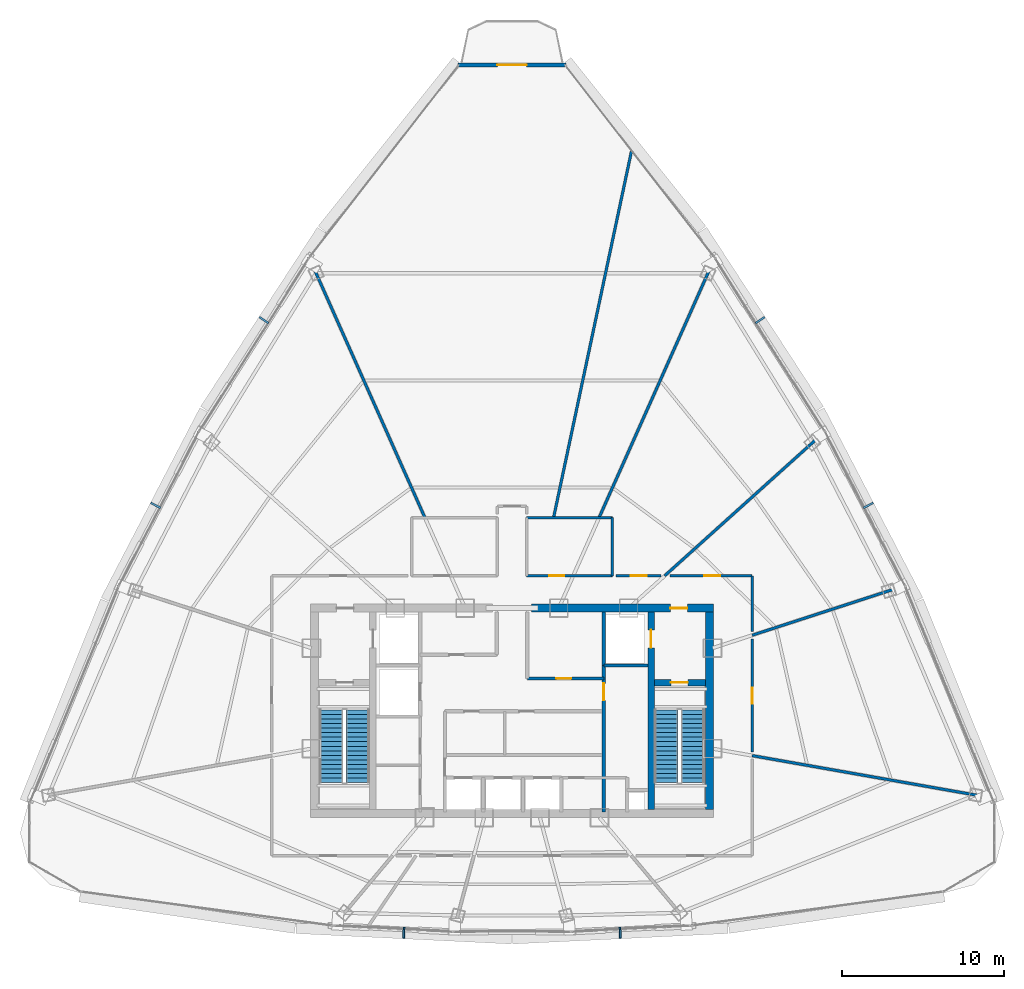
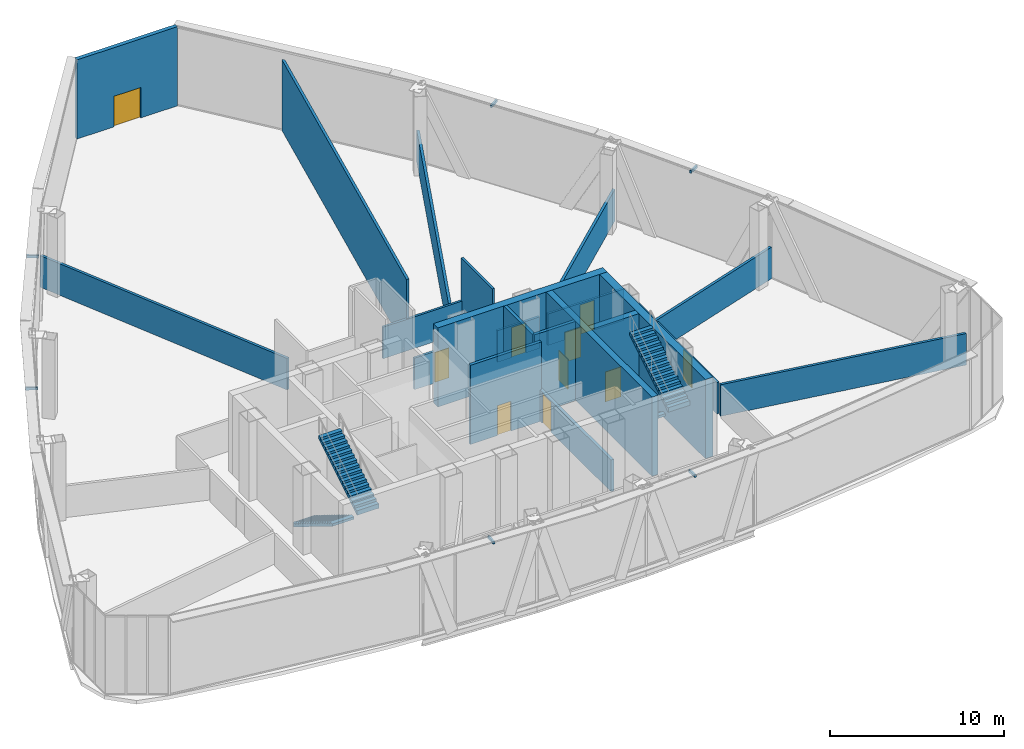
# One storey, part 30 of 33: 22 walls, 10 doors, 6 discrete accessories, 4 stair flights, 10 openings, 2 elements without a shape of their own.
"""IFC4 building model written with IfcOpenShell, lengths in metres."""

import ifcopenshell
import ifcopenshell.guid

model = None  # the IFC model being written
_history = None  # IfcOwnerHistory: only IFC2X3 demands one
_inside = {}  # id of a spatial element -> (the spatial element, [elements in it])
_under = {}  # id of a project, library or spatial element -> (it, [spatial elements below it])
_declared = {}  # id of a project -> (the project, [libraries it declares])
_typed = {}  # id of a type object -> (the type object, [elements of that type])
_made_of = {}  # id of a material, layer set ... -> (it, [elements and type objects made of it])


def new_model(schema):
    """Start an empty IFC model of exactly this schema.

    Asked for "IFC4X3", IfcOpenShell would pick the latest addendum, in which some entities
    have other attributes; the version numbers below select the first issue.
    IFC2X3 requires an IfcOwnerHistory on every rooted entity: one is made here for all.
    """
    global model, _history
    if schema == "IFC4X3":
        model = ifcopenshell.file(schema_version=(4, 3, 0, 0))
    else:
        model = ifcopenshell.file(schema=schema)
    _inside.clear()
    _under.clear()
    _declared.clear()
    _typed.clear()
    _made_of.clear()
    _history = None
    if model.schema == "IFC2X3":
        org = make("IfcOrganization", Name="unknown")
        user = make(
            "IfcPersonAndOrganization",
            ThePerson=make("IfcPerson", FamilyName="unknown"),
            TheOrganization=org,
        )
        app = make(
            "IfcApplication",
            ApplicationDeveloper=org,
            Version="unknown",
            ApplicationFullName="unknown",
            ApplicationIdentifier="unknown",
        )
        _history = make(
            "IfcOwnerHistory",
            OwningUser=user,
            OwningApplication=app,
            ChangeAction="ADDED",
            CreationDate=0,
        )
    return model


def make(cls, **values):
    """One entity of the class cls with the attributes given. An attribute that is None is left unset."""
    return model.create_entity(
        cls, **{name: value for name, value in values.items() if value is not None}
    )


def rooted(cls, **values):
    """An entity with a GlobalId (a new one), such as an element, a storey or a relation."""
    return make(cls, GlobalId=ifcopenshell.guid.new(), OwnerHistory=_history, **values)


def si_unit(unit_type, name, prefix=None):
    """IfcSIUnit, for example si_unit("LENGTHUNIT", "METRE", prefix="MILLI")."""
    return make("IfcSIUnit", UnitType=unit_type, Prefix=prefix, Name=name)


def assignment(units):
    """IfcUnitAssignment: the units of a project."""
    return None if units is None else make("IfcUnitAssignment", Units=units)


def point(xyz):
    """IfcCartesianPoint."""
    return None if xyz is None else make("IfcCartesianPoint", Coordinates=xyz)


def direction(xyz):
    """IfcDirection."""
    return None if xyz is None else make("IfcDirection", DirectionRatios=xyz)


def frame(location, z_axis=None, x_axis=None):
    """IfcAxis2Placement3D, a coordinate frame: its origin and axes. An axis left out is left unset."""
    return make(
        "IfcAxis2Placement3D",
        Location=point(location),
        Axis=direction(z_axis),
        RefDirection=direction(x_axis),
    )


def frame_2d(location, x_axis=None):
    """IfcAxis2Placement2D, a coordinate frame in the plane: its origin and x axis."""
    return make(
        "IfcAxis2Placement2D", Location=point(location), RefDirection=direction(x_axis)
    )


def origin():
    """The frame at (0, 0, 0) with its axes left unset."""
    return frame((0.0, 0.0, 0.0))


def origin_with_axes():
    """The frame at (0, 0, 0) with the z axis (0, 0, 1) and the x axis (1, 0, 0) written out."""
    return frame((0.0, 0.0, 0.0), z_axis=(0.0, 0.0, 1.0), x_axis=(1.0, 0.0, 0.0))


def origin_2d():
    """The frame at (0, 0) in the plane with its x axis left unset."""
    return frame_2d((0.0, 0.0))


def place(relative_to, where):
    """IfcLocalPlacement: puts the frame where relative to a parent placement (None: the world)."""
    return make(
        "IfcLocalPlacement", PlacementRelTo=relative_to, RelativePlacement=where
    )


def context(
    kind, dimensions, precision=None, world=None, true_north=None, identifier=None
):
    """IfcGeometricRepresentationContext, for example the 3D "Model" context."""
    return make(
        "IfcGeometricRepresentationContext",
        ContextIdentifier=identifier,
        ContextType=kind,
        CoordinateSpaceDimension=dimensions,
        Precision=precision,
        WorldCoordinateSystem=world,
        TrueNorth=true_north,
    )


def subcontext(parent, identifier, kind, view, scale=None):
    """IfcGeometricRepresentationSubContext, for example "Body" below "Model"."""
    return make(
        "IfcGeometricRepresentationSubContext",
        ContextIdentifier=identifier,
        ContextType=kind,
        ParentContext=parent,
        TargetScale=scale,
        TargetView=view,
    )


def project(units=None, contexts=None):
    """IfcProject with its units and contexts."""
    return rooted(
        "IfcProject",
        Name="project",
        RepresentationContexts=contexts,
        UnitsInContext=assignment(units),
    )


def spatial(cls, under=None, at=None, **own):
    """A site, building, storey or space (cls), placed at a placement, below another one or the project."""
    s = rooted(cls, ObjectPlacement=at, **own)
    if under is not None:
        _under.setdefault(under.id(), (under, []))[1].append(s)
    return s


def polyline(points):
    """IfcPolyline through the points."""
    return make("IfcPolyline", Points=[point(p) for p in points])


def profile(cls, at=None, kind="AREA", **sizes):
    """A parametric profile (cls). Its sizes go by their IFC names, for example OverallWidth=200.0."""
    return make(cls, ProfileType=kind, Position=at, **sizes)


def rectangle(**sizes):
    """IfcRectangleProfileDef."""
    return profile("IfcRectangleProfileDef", **sizes)


def outline(outer, holes=None, kind="AREA"):
    """IfcArbitraryClosedProfileDef: a profile drawn as a closed curve; with holes, ...WithVoids."""
    if holes is None:
        return make("IfcArbitraryClosedProfileDef", ProfileType=kind, OuterCurve=outer)
    return make(
        "IfcArbitraryProfileDefWithVoids",
        ProfileType=kind,
        OuterCurve=outer,
        InnerCurves=holes,
    )


def extrude(swept, where, along, depth):
    """IfcExtrudedAreaSolid: the profile swept, set in the frame where, extruded along a direction by depth."""
    return make(
        "IfcExtrudedAreaSolid",
        SweptArea=swept,
        Position=where,
        ExtrudedDirection=direction(along),
        Depth=depth,
    )


def shape(context_of_items, identifier, shape_type, items):
    """IfcShapeRepresentation: the items that make up one representation, for example the "Body"."""
    return make(
        "IfcShapeRepresentation",
        ContextOfItems=context_of_items,
        RepresentationIdentifier=identifier,
        RepresentationType=shape_type,
        Items=items,
    )


def source(mapping_origin, context_of_items, identifier, shape_type, items):
    """IfcRepresentationMap: a shape defined once, which mapped items show again and again."""
    return make(
        "IfcRepresentationMap",
        MappingOrigin=mapping_origin,
        MappedRepresentation=shape(context_of_items, identifier, shape_type, items),
    )


def transform(
    local_origin,
    x_axis=None,
    y_axis=None,
    z_axis=None,
    scale=None,
    scale2=None,
    scale3=None,
    uniform=True,
):
    """IfcCartesianTransformationOperator3D, or its non-uniform kind. x_axis, y_axis, z_axis: its Axis1, 2, 3."""
    if uniform:
        return make(
            "IfcCartesianTransformationOperator3D",
            Axis1=direction(x_axis),
            Axis2=direction(y_axis),
            LocalOrigin=point(local_origin),
            Scale=scale,
            Axis3=direction(z_axis),
        )
    return make(
        "IfcCartesianTransformationOperator3DnonUniform",
        Axis1=direction(x_axis),
        Axis2=direction(y_axis),
        LocalOrigin=point(local_origin),
        Scale=scale,
        Axis3=direction(z_axis),
        Scale2=scale2,
        Scale3=scale3,
    )


def mapped(mapping_source, mapping_target):
    """IfcMappedItem: shows the shape of a source again, moved by a transform."""
    return make(
        "IfcMappedItem", MappingSource=mapping_source, MappingTarget=mapping_target
    )


def material(Name=None, Category=None):
    """IfcMaterial."""
    return make("IfcMaterial", Name=Name, Category=Category)


def layer(
    of_material, thickness, ventilated=None, Name=None, Category=None, Priority=None
):
    """IfcMaterialLayer: one layer of a wall or slab, of a material (None: an air gap)."""
    return make(
        "IfcMaterialLayer",
        Material=of_material,
        LayerThickness=thickness,
        IsVentilated=ventilated,
        Name=Name,
        Category=Category,
        Priority=Priority,
    )


def layer_set(layers, Name=None):
    """IfcMaterialLayerSet."""
    return make("IfcMaterialLayerSet", MaterialLayers=layers, LayerSetName=Name)


def made_of(thing, what):
    """Note that an element or type object is made of a material, layer set ...; save() writes the relation."""
    if what is not None:
        _made_of.setdefault(what.id(), (what, []))[1].append(thing)
    return thing


def type_object(cls, material=None, **own):
    """A type object (cls), such as IfcWallType, which elements share."""
    return made_of(rooted(cls, **own), material)


def element(
    cls,
    number,
    at=None,
    inside=None,
    cuts=None,
    type_object=None,
    material=None,
    context=None,
    identifier="Body",
    shape_type=None,
    held_by="IfcProductDefinitionShape",
    body=None,
    shapes=None,
    **own,
):
    """One element of the class cls, such as IfcWall. Its Tag is "e" and its number.

    at: its placement. inside: the storey or other place that contains it. cuts: it is an
    opening in that element (IfcRelVoidsElement). A single representation is given by context,
    identifier, shape_type and body (its items); several are given by shapes. held_by: the class
    of the entity that holds the representations. save() writes the other relations.
    """
    e = rooted(cls, Tag="e%d" % number, ObjectPlacement=at, **own)
    if body is not None:
        shapes = [shape(context, identifier, shape_type, body)]
    if shapes is not None:
        e.Representation = make(held_by, Representations=shapes)
    if inside is not None:
        _inside.setdefault(inside.id(), (inside, []))[1].append(e)
    if cuts is not None:
        rooted(
            "IfcRelVoidsElement", RelatingBuildingElement=cuts, RelatedOpeningElement=e
        )
    if type_object is not None:
        _typed.setdefault(type_object.id(), (type_object, []))[1].append(e)
    return made_of(e, material)


def fill(opening, filler):
    """IfcRelFillsElement: the door or window that sits in an opening."""
    return rooted(
        "IfcRelFillsElement",
        RelatingOpeningElement=opening,
        RelatedBuildingElement=filler,
    )


def aggregate(whole, parts):
    """IfcRelAggregates: a whole, such as a stair, and the parts it consists of."""
    return rooted("IfcRelAggregates", RelatingObject=whole, RelatedObjects=parts)


def save(model, path):
    """Write the relations noted so far, then the file.

    IfcRelAggregates (storeys below a building ...), IfcRelContainedInSpatialStructure (elements
    in a storey), IfcRelDefinesByType, IfcRelAssociatesMaterial and IfcRelDeclares: one each for
    every whole, place, type object, material and project.
    """
    for whole, parts in _under.values():
        aggregate(whole, parts)
    for where, things in _inside.values():
        rooted(
            "IfcRelContainedInSpatialStructure",
            RelatedElements=things,
            RelatingStructure=where,
        )
    for kind, things in _typed.values():
        rooted("IfcRelDefinesByType", RelatedObjects=things, RelatingType=kind)
    for what, things in _made_of.values():
        rooted("IfcRelAssociatesMaterial", RelatedObjects=things, RelatingMaterial=what)
    for by, libraries in _declared.values():
        rooted("IfcRelDeclares", RelatingContext=by, RelatedDefinitions=libraries)
    model.write(path)


model = new_model("IFC4")

# Units and contexts
model_context = context("Model", 3, precision=1e-05, world=origin(), true_north=direction((0.0, 1.0)))
body_context = subcontext(model_context, "Body", "Model", "MODEL_VIEW")
ifc_project = project(units=[si_unit("LENGTHUNIT", "METRE"), si_unit("AREAUNIT", "SQUARE_METRE"), si_unit("VOLUMEUNIT", "CUBIC_METRE"), si_unit("PLANEANGLEUNIT", "RADIAN"), si_unit("MASSUNIT", "GRAM", prefix="KILO"), si_unit("THERMODYNAMICTEMPERATUREUNIT", "KELVIN"), si_unit("POWERUNIT", "WATT")], contexts=[model_context])

# Site, building, storey
site_placement = place(None, origin())
site = spatial("IfcSite", under=ifc_project, at=site_placement, CompositionType="ELEMENT")
building_placement = place(site_placement, origin())
building = spatial("IfcBuilding", under=site, at=building_placement, Name="Yunzhuo Pagoda Commons", CompositionType="ELEMENT")
storey_placement = place(building_placement, frame((0.0, 0.0, 314.860107421875)))
storey = spatial("IfcBuildingStorey", under=building, at=storey_placement, Name="L79", CompositionType="ELEMENT", Elevation=314.860107421875)

# Wall, opening, door
ifc_material_1 = material(Name="Precast concrete C40", Category="concrete")
ifc_layer_1 = layer(ifc_material_1, 0.260009765625)
ifc_layer_set_1 = layer_set([ifc_layer_1], Name="Precast concrete C40")
wall_type_1 = type_object("IfcWallType", Name="W-BAL1 Corner Balcony Threshold Wall 260", PredefinedType="STANDARD", material=ifc_layer_set_1)
wall_1_placement = place(storey_placement, frame((51.3408203125, 73.785888671875, 0.0), z_axis=(0.0, 0.0, 1.0), x_axis=(-1.0, 0.0, 0.0)))
wall_1 = element("IfcWall", 1, at=wall_1_placement, inside=storey, type_object=wall_type_1, Name="L79 corner balcony wall V3", PredefinedType="STANDARD", context=body_context, shape_type="SweptSolid", body=[
    extrude(rectangle(XDim=6.681640625, YDim=0.260009765625, at=frame_2d((3.3408203125, 0.0))), origin(), (0.0, 0.0, 1.0), 5.56982421875),
])
opening_1_placement = place(wall_1_placement, frame((2.440673828125, 0.0, 0.0)))
opening_1 = element("IfcOpeningElement", 2, at=opening_1_placement, cuts=wall_1, Name="Opening D-BAL1", PredefinedType="OPENING", context=body_context, shape_type="SweptSolid", body=[
    extrude(rectangle(XDim=1.800048828125, YDim=2.14990234375, at=frame_2d((0.89990234375, 1.074951171875))), frame((0.0, 0.14013671875, 0.0), z_axis=(0.0, -1.0, 0.0), x_axis=(1.0, 0.0, 0.0)), (0.0, 0.0, 1.0), 0.280029296875),
])
ifc_material_2 = material(Name="Anodized aluminium frame and tempered glazed leaf", Category="aluminium")
door_type_1 = type_object("IfcDoorType", Name="D-BAL1 Corner Balcony Sliding Glazed Door 1800x2150", OperationType="DOUBLE_DOOR_SLIDING", PredefinedType="DOOR", material=ifc_material_2)
shared_shape_1 = source(origin(), body_context, "Body", "SweptSolid", [
    extrude(rectangle(XDim=1.800048828125, YDim=2.14990234375, at=frame_2d((0.89990234375, 1.074951171875))), frame((0.0, 0.02490234375, 0.0), z_axis=(0.0, -1.0, 0.0), x_axis=(1.0, 0.0, 0.0)), (0.0, 0.0, 1.0), 0.050048828125),
])
door_1_placement = place(opening_1_placement, origin_with_axes())
door_1 = element("IfcDoor", 3, at=door_1_placement, inside=storey, type_object=door_type_1, Name="L79 corner balcony sliding door V3", OperationType="DOUBLE_DOOR_SLIDING", OverallHeight=2.14990234375, OverallWidth=1.800048828125, PredefinedType="DOOR", context=body_context, shape_type="MappedRepresentation", body=[
    mapped(shared_shape_1, transform((0.0, 0.0, 0.0), scale=1.0)),
])
fill(opening_1, door_1)

ifc_material_3 = material(Name="Concrete C50", Category="concrete")
ifc_layer_2 = layer(ifc_material_3, 0.5)
ifc_layer_set_2 = layer_set([ifc_layer_2], Name="Concrete C50")
wall_type_2 = type_object("IfcWallType", Name="W-C03 Upper Core Shear Wall 500", PredefinedType="SHEAR", material=ifc_layer_set_2)
wall_2_placement = place(storey_placement, frame((49.199951171875, 40.199951171875, 0.0), z_axis=(0.0, 0.0, 1.0), x_axis=(1.0, 0.0, 0.0)))
wall_2 = element("IfcWall", 4, at=wall_2_placement, inside=storey, type_object=wall_type_2, Name="L79 core shear wall NE", PredefinedType="SHEAR", context=body_context, shape_type="SweptSolid", body=[
    extrude(rectangle(XDim=11.25, YDim=0.5, at=frame_2d((5.625, 0.0))), origin(), (0.0, 0.0, 1.0), 5.56982421875),
])
opening_2_placement = place(wall_2_placement, frame((8.60009765625, 0.0, 0.0)))
opening_2 = element("IfcOpeningElement", 5, at=opening_2_placement, cuts=wall_2, Name="Opening D-02", PredefinedType="OPENING", context=body_context, shape_type="SweptSolid", body=[
    extrude(rectangle(XDim=1.050048828125, YDim=2.10009765625, at=frame_2d((0.52490234375, 1.050048828125))), frame((0.0, 0.260009765625, 0.0), z_axis=(0.0, -1.0, 0.0), x_axis=(1.0, 0.0, 0.0)), (0.0, 0.0, 1.0), 0.52001953125),
])
ifc_material_4 = material(Name="Galvanized fire-resisting metal leaf")
door_type_2 = type_object("IfcDoorType", Name="D-02 Firefighting Lobby & Refuge Fire Door 1050x2100", OperationType="NOTDEFINED", PredefinedType="DOOR", material=ifc_material_4)
shared_shape_2 = source(origin(), body_context, "Body", "SweptSolid", [
    extrude(rectangle(XDim=1.050048828125, YDim=2.10009765625, at=frame_2d((0.52490234375, 1.050048828125))), frame((0.0, 0.02490234375, 0.0), z_axis=(0.0, -1.0, 0.0), x_axis=(1.0, 0.0, 0.0)), (0.0, 0.0, 1.0), 0.050048828125),
])
door_2_placement = place(opening_2_placement, frame((1.050048828125, 0.0, 0.0), z_axis=(0.0, 0.0, 1.0), x_axis=(-1.0, 0.0, 0.0)))
door_2 = element("IfcDoor", 6, at=door_2_placement, inside=storey, type_object=door_type_2, Name="L79 Firefighting Lobby 2 fire door", OperationType="SINGLE_SWING_RIGHT", OverallHeight=2.10009765625, OverallWidth=1.050048828125, PredefinedType="DOOR", context=body_context, shape_type="MappedRepresentation", body=[
    mapped(shared_shape_2, transform((0.0, 0.0, 0.0), scale=1.0)),
])
fill(opening_2, door_2)

# Wall
wall_3_placement = place(storey_placement, frame((60.199951171875, 27.75, 0.0), z_axis=(0.0, 0.0, 1.0), x_axis=(0.0, 1.0, 0.0)))
element("IfcWall", 7, at=wall_3_placement, inside=storey, type_object=wall_type_2, Name="L79 core shear wall E", PredefinedType="SHEAR", context=body_context, shape_type="SweptSolid", body=[
    extrude(rectangle(XDim=12.199951171875, YDim=0.5, at=frame_2d((6.10009765625, 0.0))), origin(), (0.0, 0.0, 1.0), 5.56982421875),
])

# Wall, opening, door
ifc_material_5 = material(Name="Gypsum plasterboard on acoustic stud")
ifc_layer_3 = layer(ifc_material_5, 0.14990234375)
ifc_layer_set_3 = layer_set([ifc_layer_3], Name="Gypsum plasterboard on acoustic stud")
wall_type_3 = type_object("IfcWallType", Name="W-COR3 High-Zone Rated Corridor Wall 150", PredefinedType="PARTITIONING", material=ifc_layer_set_3)
wall_4_placement = place(storey_placement, frame((48.89990234375, 42.199951171875, 0.0), z_axis=(0.0, 0.0, 1.0), x_axis=(1.0, 0.0, 0.0)))
wall_4 = element("IfcWall", 8, at=wall_4_placement, inside=storey, type_object=wall_type_3, Name="L79 interior wall IW-L79-TFES", PredefinedType="PARTITIONING", context=body_context, shape_type="SweptSolid", body=[
    extrude(rectangle(XDim=5.300048828125, YDim=0.14990234375, at=frame_2d((2.64990234375, 0.0))), origin(), (0.0, 0.0, 1.0), 2.219970703125),
])
opening_3_placement = place(wall_4_placement, frame((1.39990234375, 0.0, 0.0)))
opening_3 = element("IfcOpeningElement", 9, at=opening_3_placement, cuts=wall_4, Name="Opening D-11", PredefinedType="OPENING", context=body_context, shape_type="SweptSolid", body=[
    extrude(rectangle(XDim=0.93994140625, YDim=2.10009765625, at=frame_2d((0.469970703125, 1.050048828125))), frame((0.0, 0.0849609375, 0.0), z_axis=(0.0, -1.0, 0.0), x_axis=(1.0, 0.0, 0.0)), (0.0, 0.0, 1.0), 0.169921875),
])
door_type_3 = type_object("IfcDoorType", Name="D-11 Accessible Washroom Fire Door 940x2100", OperationType="NOTDEFINED", PredefinedType="DOOR", material=ifc_material_4)
shared_shape_3 = source(origin(), body_context, "Body", "SweptSolid", [
    extrude(rectangle(XDim=0.93994140625, YDim=2.10009765625, at=frame_2d((0.469970703125, 1.050048828125))), frame((0.0, 0.02490234375, 0.0), z_axis=(0.0, -1.0, 0.0), x_axis=(1.0, 0.0, 0.0)), (0.0, 0.0, 1.0), 0.050048828125),
])
door_3_placement = place(opening_3_placement, frame((0.93994140625, 0.0, 0.0), z_axis=(0.0, 0.0, 1.0), x_axis=(-1.0, 0.0, 0.0)))
door_3 = element("IfcDoor", 10, at=door_3_placement, inside=storey, type_object=door_type_3, Name="L79 accessible WC door", OperationType="SINGLE_SWING_RIGHT", OverallHeight=2.10009765625, OverallWidth=0.93994140625, PredefinedType="DOOR", context=body_context, shape_type="MappedRepresentation", body=[
    mapped(shared_shape_3, transform((0.0, 0.0, 0.0), scale=1.0)),
])
fill(opening_3, door_3)

# Walls
wall_5_placement = place(storey_placement, frame((48.89990234375, 45.800048828125, 0.0), z_axis=(0.0, 0.0, 1.0), x_axis=(1.0, 0.0, 0.0)))
element("IfcWall", 11, at=wall_5_placement, inside=storey, type_object=wall_type_3, Name="L79 interior wall IW-L79-TFEN", PredefinedType="PARTITIONING", context=body_context, shape_type="SweptSolid", body=[
    extrude(rectangle(XDim=5.300048828125, YDim=0.14990234375, at=frame_2d((2.64990234375, 0.0))), origin(), (0.0, 0.0, 1.0), 2.219970703125),
])
wall_6_placement = place(storey_placement, frame((54.199951171875, 42.199951171875, 0.0), z_axis=(0.0, 0.0, 1.0), x_axis=(0.0, 1.0, 0.0)))
element("IfcWall", 12, at=wall_6_placement, inside=storey, type_object=wall_type_3, Name="L79 interior wall IW-L79-TFEE", PredefinedType="PARTITIONING", context=body_context, shape_type="SweptSolid", body=[
    extrude(rectangle(XDim=3.60009765625, YDim=0.14990234375, at=frame_2d((1.800048828125, 0.0))), origin(), (0.0, 0.0, 1.0), 5.219970703125),
])

# Wall, opening, door
wall_7_placement = place(storey_placement, frame((54.419921875, 42.199951171875, 0.0), z_axis=(0.0, 0.0, 1.0), x_axis=(1.0, 0.0, 0.0)))
wall_7 = element("IfcWall", 13, at=wall_7_placement, inside=storey, type_object=wall_type_3, Name="L79 interior wall IW-L79-CWL08", PredefinedType="PARTITIONING", context=body_context, shape_type="SweptSolid", body=[
    extrude(rectangle(XDim=2.800537109375, YDim=0.14990234375, at=frame_2d((1.400390625, 0.0))), origin(), (0.0, 0.0, 1.0), 2.219970703125),
])
opening_4_placement = place(wall_7_placement, frame((0.925048828125, 0.0, 0.0)))
opening_4 = element("IfcOpeningElement", 14, at=opening_4_placement, cuts=wall_7, Name="Opening D-08", PredefinedType="OPENING", context=body_context, shape_type="SweptSolid", body=[
    extrude(rectangle(XDim=0.97998046875, YDim=2.1201171875, at=frame_2d((0.489990234375, 1.06005859375))), frame((0.0, 0.0849609375, 0.0), z_axis=(0.0, -1.0, 0.0), x_axis=(1.0, 0.0, 0.0)), (0.0, 0.0, 1.0), 0.169921875),
])
door_type_4 = type_object("IfcDoorType", Name="D-08 High-Zone Suite Entrance Fire Door 980x2120", OperationType="NOTDEFINED", PredefinedType="DOOR", material=ifc_material_4)
shared_shape_4 = source(origin(), body_context, "Body", "SweptSolid", [
    extrude(rectangle(XDim=0.97998046875, YDim=2.1201171875, at=frame_2d((0.489990234375, 1.06005859375))), frame((0.0, 0.02490234375, 0.0), z_axis=(0.0, -1.0, 0.0), x_axis=(1.0, 0.0, 0.0)), (0.0, 0.0, 1.0), 0.050048828125),
])
door_4_placement = place(opening_4_placement, origin_with_axes())
door_4 = element("IfcDoor", 15, at=door_4_placement, inside=storey, type_object=door_type_4, Name="L79 unit 03 entrance door", OperationType="SINGLE_SWING_RIGHT", OverallHeight=2.1201171875, OverallWidth=0.97998046875, PredefinedType="DOOR", context=body_context, shape_type="MappedRepresentation", body=[
    mapped(shared_shape_4, transform((0.0, 0.0, 0.0), scale=1.0)),
])
fill(opening_4, door_4)

wall_8_placement = place(storey_placement, frame((57.76904296875, 42.199951171875, 0.0), z_axis=(0.0, 0.0, 1.0), x_axis=(1.0, 0.0, 0.0)))
wall_8 = element("IfcWall", 16, at=wall_8_placement, inside=storey, type_object=wall_type_3, Name="L79 interior wall IW-L79-CWL09", PredefinedType="PARTITIONING", context=body_context, shape_type="SweptSolid", body=[
    extrude(rectangle(XDim=5.0810546875, YDim=0.14990234375, at=frame_2d((2.54052734375, 0.0))), origin(), (0.0, 0.0, 1.0), 2.219970703125),
])
opening_5_placement = place(wall_8_placement, frame((2.131103515625, 0.0, 0.0)))
opening_5 = element("IfcOpeningElement", 17, at=opening_5_placement, cuts=wall_8, Name="Opening D-08", PredefinedType="OPENING", context=body_context, shape_type="SweptSolid", body=[
    extrude(rectangle(XDim=0.97998046875, YDim=2.1201171875, at=frame_2d((0.489990234375, 1.06005859375))), frame((0.0, 0.0849609375, 0.0), z_axis=(0.0, -1.0, 0.0), x_axis=(1.0, 0.0, 0.0)), (0.0, 0.0, 1.0), 0.169921875),
])
door_5_placement = place(opening_5_placement, origin_with_axes())
door_5 = element("IfcDoor", 18, at=door_5_placement, inside=storey, type_object=door_type_4, Name="L79 unit 02 entrance door", OperationType="SINGLE_SWING_LEFT", OverallHeight=2.1201171875, OverallWidth=0.97998046875, PredefinedType="DOOR", context=body_context, shape_type="MappedRepresentation", body=[
    mapped(shared_shape_4, transform((0.0, 0.0, 0.0), scale=1.0)),
])
fill(opening_5, door_5)

# Wall
wall_9_placement = place(storey_placement, frame((62.85009765625, 42.199951171875, 0.0), z_axis=(0.0, 0.0, 1.0), x_axis=(0.0, -1.0, 0.0)))
element("IfcWall", 19, at=wall_9_placement, inside=storey, type_object=wall_type_3, Name="L79 interior wall IW-L79-CWL10", PredefinedType="PARTITIONING", context=body_context, shape_type="SweptSolid", body=[
    extrude(rectangle(XDim=3.443603515625, YDim=0.14990234375, at=frame_2d((1.7216796875, 0.0))), origin(), (0.0, 0.0, 1.0), 2.219970703125),
])

# Wall, opening, door
wall_10_placement = place(storey_placement, frame((62.85009765625, 38.305419921875, 0.0), z_axis=(0.0, 0.0, 1.0), x_axis=(0.0, -1.0, 0.0)))
wall_10 = element("IfcWall", 20, at=wall_10_placement, inside=storey, type_object=wall_type_3, Name="L79 interior wall IW-L79-CWL11", PredefinedType="PARTITIONING", context=body_context, shape_type="SweptSolid", body=[
    extrude(rectangle(XDim=7.004150390625, YDim=0.14990234375, at=frame_2d((3.501953125, 0.0))), origin(), (0.0, 0.0, 1.0), 2.219970703125),
])
opening_6_placement = place(wall_10_placement, frame((3.027099609375, 0.0, 0.0)))
opening_6 = element("IfcOpeningElement", 21, at=opening_6_placement, cuts=wall_10, Name="Opening D-08", PredefinedType="OPENING", context=body_context, shape_type="SweptSolid", body=[
    extrude(rectangle(XDim=0.97998046875, YDim=2.1201171875, at=frame_2d((0.489990234375, 1.06005859375))), frame((0.0, 0.0849609375, 0.0), z_axis=(0.0, -1.0, 0.0), x_axis=(1.0, 0.0, 0.0)), (0.0, 0.0, 1.0), 0.169921875),
])
door_6_placement = place(opening_6_placement, origin_with_axes())
door_6 = element("IfcDoor", 22, at=door_6_placement, inside=storey, type_object=door_type_4, Name="L79 unit 01 entrance door", OperationType="SINGLE_SWING_RIGHT", OverallHeight=2.1201171875, OverallWidth=0.97998046875, PredefinedType="DOOR", context=body_context, shape_type="MappedRepresentation", body=[
    mapped(shared_shape_4, transform((0.0, 0.0, 0.0), scale=1.0)),
])
fill(opening_6, door_6)

# Walls
ifc_layer_4 = layer(ifc_material_5, 0.169921875)
ifc_layer_set_4 = layer_set([ifc_layer_4], Name="Gypsum plasterboard on acoustic stud")
wall_type_4 = type_object("IfcWallType", Name="W-PRT4 High-Zone Demising Wall 170", PredefinedType="PARTITIONING", material=ifc_layer_set_4)
wall_11_placement = place(storey_placement, frame((62.85009765625, 38.525146484375, 0.0), z_axis=(0.0, 0.0, 1.0), x_axis=(0.951056273407, 0.309017741906, 0.0)))
element("IfcWall", 23, at=wall_11_placement, inside=storey, type_object=wall_type_4, Name="L79 interior wall IW-L79-RAD01", PredefinedType="PARTITIONING", context=body_context, shape_type="SweptSolid", body=[
    extrude(rectangle(XDim=9.937255859375, YDim=0.169921875, at=frame_2d((4.96875, 0.0))), origin(), (0.0, 0.0, 1.0), 2.219970703125),
])
wall_12_placement = place(storey_placement, frame((57.440185546875, 42.199951171875, 0.0), z_axis=(0.0, 0.0, 1.0), x_axis=(0.743143971996, 0.669131554245, 0.0)))
element("IfcWall", 24, at=wall_12_placement, inside=storey, type_object=wall_type_4, Name="L79 interior wall IW-L79-RAD02", PredefinedType="PARTITIONING", context=body_context, shape_type="SweptSolid", body=[
    extrude(rectangle(XDim=13.339599609375, YDim=0.169921875, at=frame_2d((6.669921875, 0.0))), origin(), (0.0, 0.0, 1.0), 2.219970703125),
])
wall_13_placement = place(storey_placement, frame((53.38720703125, 45.800048828125, 0.0), z_axis=(0.0, 0.0, 1.0), x_axis=(0.406746244391, 0.913541182801, 0.0)))
element("IfcWall", 25, at=wall_13_placement, inside=storey, type_object=wall_type_4, Name="L79 interior wall IW-L79-RAD03", PredefinedType="PARTITIONING", context=body_context, shape_type="SweptSolid", body=[
    extrude(rectangle(XDim=17.589111328125, YDim=0.169921875, at=frame_2d((8.79443359375, 0.0))), origin(), (0.0, 0.0, 1.0), 2.219970703125),
])
wall_14_placement = place(storey_placement, frame((50.572021484375, 45.800048828125, 0.0), z_axis=(0.0, 0.0, 1.0), x_axis=(0.207911865665, 0.978147563569, 0.0)))
element("IfcWall", 26, at=wall_14_placement, inside=storey, type_object=wall_type_4, Name="L79 interior wall IW-L79-RAD04", PredefinedType="PARTITIONING", context=body_context, shape_type="SweptSolid", body=[
    extrude(rectangle(XDim=23.200927734375, YDim=0.169921875, at=frame_2d((11.6005859375, 0.0))), origin(), (0.0, 0.0, 1.0), 4.969970703125),
])
wall_15_placement = place(storey_placement, frame((42.61279296875, 45.800048828125, 0.0), z_axis=(0.0, 0.0, 1.0), x_axis=(-0.406746244391, 0.913541182801, 0.0)))
element("IfcWall", 27, at=wall_15_placement, inside=storey, type_object=wall_type_4, Name="L79 interior wall IW-L79-RAD05", PredefinedType="PARTITIONING", context=body_context, shape_type="SweptSolid", body=[
    extrude(rectangle(XDim=17.589111328125, YDim=0.169921875, at=frame_2d((8.79443359375, 0.0))), origin(), (0.0, 0.0, 1.0), 2.219970703125),
])
wall_16_placement = place(storey_placement, frame((62.85009765625, 31.08154296875, 0.0), z_axis=(0.0, 0.0, 1.0), x_axis=(0.984808005161, -0.173646747654, 0.0)))
element("IfcWall", 28, at=wall_16_placement, inside=storey, type_object=wall_type_4, Name="L79 interior wall IW-L79-RAD12", PredefinedType="PARTITIONING", context=body_context, shape_type="SweptSolid", body=[
    extrude(rectangle(XDim=15.07470703125, YDim=0.169921875, at=frame_2d((7.537353515625, 0.0))), origin(), (0.0, 0.0, 1.0), 2.219970703125),
])

# Wall, opening, door
ifc_material_6 = material(Name="Concrete C60", Category="concrete")
ifc_layer_5 = layer(ifc_material_6, 0.39990234375)
ifc_layer_set_5 = layer_set([ifc_layer_5], Name="Concrete C60")
wall_type_5 = type_object("IfcWallType", Name="W-S01 Internal Core Shear Web 400", PredefinedType="SHEAR", material=ifc_layer_set_5)
wall_17_placement = place(storey_placement, frame((56.60009765625, 27.75, 0.0), z_axis=(0.0, 0.0, 1.0), x_axis=(0.0, 1.0, 0.0)))
wall_17 = element("IfcWall", 29, at=wall_17_placement, inside=storey, type_object=wall_type_5, Name="L79 core shear wall WEBE", PredefinedType="SHEAR", context=body_context, shape_type="SweptSolid", body=[
    extrude(rectangle(XDim=12.199951171875, YDim=0.39990234375, at=frame_2d((6.10009765625, 0.0))), origin(), (0.0, 0.0, 1.0), 5.56982421875),
])
opening_7_placement = place(wall_17_placement, frame((10.0, 0.0, 0.0)))
opening_7 = element("IfcOpeningElement", 30, at=opening_7_placement, cuts=wall_17, Name="Opening LD-01", PredefinedType="OPENING", context=body_context, shape_type="SweptSolid", body=[
    extrude(rectangle(XDim=1.10009765625, YDim=2.10009765625, at=frame_2d((0.550048828125, 1.050048828125))), frame((0.0, 0.2099609375, 0.0), z_axis=(0.0, -1.0, 0.0), x_axis=(1.0, 0.0, 0.0)), (0.0, 0.0, 1.0), 0.419921875),
])
door_type_5 = type_object("IfcDoorType", Name="LD-01 Firefighting Lift Landing Door 1100x2100", OperationType="DOUBLE_DOOR_SLIDING", PredefinedType="DOOR", material=ifc_material_4)
shared_shape_5 = source(origin(), body_context, "Body", "SweptSolid", [
    extrude(rectangle(XDim=1.10009765625, YDim=2.10009765625, at=frame_2d((0.550048828125, 1.050048828125))), frame((0.0, 0.02490234375, 0.0), z_axis=(0.0, -1.0, 0.0), x_axis=(1.0, 0.0, 0.0)), (0.0, 0.0, 1.0), 0.050048828125),
])
door_7_placement = place(opening_7_placement, origin_with_axes())
door_7 = element("IfcDoor", 31, at=door_7_placement, inside=storey, type_object=door_type_5, Name="L79 Firefighting lift FL-2 landing door", OperationType="DOUBLE_DOOR_SLIDING", OverallHeight=2.10009765625, OverallWidth=1.10009765625, PredefinedType="DOOR", context=body_context, shape_type="MappedRepresentation", body=[
    mapped(shared_shape_5, transform((0.0, 0.0, 0.0), scale=1.0)),
])
fill(opening_7, door_7)

wall_18_placement = place(storey_placement, frame((56.800048828125, 35.60009765625, 0.0), z_axis=(0.0, 0.0, 1.0), x_axis=(1.0, 0.0, 0.0)))
wall_18 = element("IfcWall", 32, at=wall_18_placement, inside=storey, type_object=wall_type_5, Name="L79 core shear wall STE", PredefinedType="SHEAR", context=body_context, shape_type="SweptSolid", body=[
    extrude(rectangle(XDim=3.14990234375, YDim=0.39990234375, at=frame_2d((1.574951171875, 0.0))), origin(), (0.0, 0.0, 1.0), 5.56982421875),
])
opening_8_placement = place(wall_18_placement, frame((1.02001953125, 0.0, 0.0)))
opening_8 = element("IfcOpeningElement", 33, at=opening_8_placement, cuts=wall_18, Name="Opening D-01", PredefinedType="OPENING", context=body_context, shape_type="SweptSolid", body=[
    extrude(rectangle(XDim=1.050048828125, YDim=2.10009765625, at=frame_2d((0.52490234375, 1.050048828125))), frame((0.0, 0.2099609375, 0.0), z_axis=(0.0, -1.0, 0.0), x_axis=(1.0, 0.0, 0.0)), (0.0, 0.0, 1.0), 0.419921875),
])
door_type_6 = type_object("IfcDoorType", Name="D-01 Smokeproof Stair Fire Door 1050x2100", OperationType="NOTDEFINED", PredefinedType="DOOR", material=ifc_material_4)
door_8_placement = place(opening_8_placement, frame((1.050048828125, 0.0, 0.0), z_axis=(0.0, 0.0, 1.0), x_axis=(-1.0, 0.0, 0.0)))
door_8 = element("IfcDoor", 34, at=door_8_placement, inside=storey, type_object=door_type_6, Name="L79 Stair ST2 fire door", OperationType="SINGLE_SWING_RIGHT", OverallHeight=2.10009765625, OverallWidth=1.050048828125, PredefinedType="DOOR", context=body_context, shape_type="MappedRepresentation", body=[
    mapped(shared_shape_2, transform((0.0, 0.0, 0.0), scale=1.0)),
])
fill(opening_8, door_8)

# Walls
ifc_material_7 = material(Name="Concrete C40", Category="concrete")
ifc_layer_6 = layer(ifc_material_7, 0.199951171875)
ifc_layer_set_6 = layer_set([ifc_layer_6], Name="Concrete C40")
wall_type_6 = type_object("IfcWallType", Name="W-SHF Shaft & Stair Enclosure Wall 200", PredefinedType="SOLIDWALL", material=ifc_layer_set_6)
wall_19_placement = place(storey_placement, frame((53.679931640625, 36.64990234375, 0.0), z_axis=(0.0, 0.0, 1.0), x_axis=(0.0, 1.0, 0.0)))
element("IfcWall", 35, at=wall_19_placement, inside=storey, type_object=wall_type_6, Name="L79 interior wall IW-L79-FL2W", PredefinedType="SOLIDWALL", context=body_context, shape_type="SweptSolid", body=[
    extrude(rectangle(XDim=3.300048828125, YDim=0.199951171875, at=frame_2d((1.64990234375, 0.0))), origin(), (0.0, 0.0, 1.0), 5.56982421875),
])
wall_20_placement = place(storey_placement, frame((53.679931640625, 36.64990234375, 0.0), z_axis=(0.0, 0.0, 1.0), x_axis=(1.0, 0.0, 0.0)))
element("IfcWall", 36, at=wall_20_placement, inside=storey, type_object=wall_type_6, Name="L79 interior wall IW-L79-FL2S", PredefinedType="SOLIDWALL", context=body_context, shape_type="SweptSolid", body=[
    extrude(rectangle(XDim=2.719970703125, YDim=0.199951171875, at=frame_2d((1.35986328125, 0.0))), origin(), (0.0, 0.0, 1.0), 5.56982421875),
])

# Wall, opening, door
wall_21_placement = place(storey_placement, frame((48.949951171875, 35.85009765625, 0.0), z_axis=(0.0, 0.0, 1.0), x_axis=(1.0, 0.0, 0.0)))
wall_21 = element("IfcWall", 37, at=wall_21_placement, inside=storey, type_object=wall_type_6, Name="L79 interior wall IW-L79-LBNE", PredefinedType="SOLIDWALL", context=body_context, shape_type="SweptSolid", body=[
    extrude(rectangle(XDim=4.72998046875, YDim=0.199951171875, at=frame_2d((2.364990234375, 0.0))), origin(), (0.0, 0.0, 1.0), 5.56982421875),
])
opening_9_placement = place(wall_21_placement, frame((1.800048828125, 0.0, 0.0)))
opening_9 = element("IfcOpeningElement", 38, at=opening_9_placement, cuts=wall_21, Name="Opening D-03", PredefinedType="OPENING", context=body_context, shape_type="SweptSolid", body=[
    extrude(rectangle(XDim=0.89990234375, YDim=2.10009765625, at=frame_2d((0.449951171875, 1.050048828125))), frame((0.0, 0.10986328125, 0.0), z_axis=(0.0, -1.0, 0.0), x_axis=(1.0, 0.0, 0.0)), (0.0, 0.0, 1.0), 0.219970703125),
])
door_type_7 = type_object("IfcDoorType", Name="D-03 Core Service Fire Door 900x2100", OperationType="NOTDEFINED", PredefinedType="DOOR", material=ifc_material_4)
shared_shape_6 = source(origin(), body_context, "Body", "SweptSolid", [
    extrude(rectangle(XDim=0.89990234375, YDim=2.10009765625, at=frame_2d((0.449951171875, 1.050048828125))), frame((0.0, 0.02490234375, 0.0), z_axis=(0.0, -1.0, 0.0), x_axis=(1.0, 0.0, 0.0)), (0.0, 0.0, 1.0), 0.050048828125),
])
door_9_placement = place(opening_9_placement, frame((0.89990234375, 0.0, 0.0), z_axis=(0.0, 0.0, 1.0), x_axis=(-1.0, 0.0, 0.0)))
door_9 = element("IfcDoor", 39, at=door_9_placement, inside=storey, type_object=door_type_7, Name="L79 core east store door", OperationType="SINGLE_SWING_RIGHT", OverallHeight=2.10009765625, OverallWidth=0.89990234375, PredefinedType="DOOR", context=body_context, shape_type="MappedRepresentation", body=[
    mapped(shared_shape_6, transform((0.0, 0.0, 0.0), scale=1.0)),
])
fill(opening_9, door_9)

wall_22_placement = place(storey_placement, frame((53.679931640625, 27.60009765625, 0.0), z_axis=(0.0, 0.0, 1.0), x_axis=(0.0, 1.0, 0.0)))
wall_22 = element("IfcWall", 40, at=wall_22_placement, inside=storey, type_object=wall_type_6, Name="L79 interior wall IW-L79-PLME", PredefinedType="SOLIDWALL", context=body_context, shape_type="SweptSolid", body=[
    extrude(rectangle(XDim=9.0498046875, YDim=0.199951171875, at=frame_2d((4.52490234375, 0.0))), origin(), (0.0, 0.0, 1.0), 2.219970703125),
])
opening_10_placement = place(wall_22_placement, frame((6.89990234375, 0.0, 0.0)))
opening_10 = element("IfcOpeningElement", 41, at=opening_10_placement, cuts=wall_22, Name="Opening D-02", PredefinedType="OPENING", context=body_context, shape_type="SweptSolid", body=[
    extrude(rectangle(XDim=1.050048828125, YDim=2.10009765625, at=frame_2d((0.52490234375, 1.050048828125))), frame((0.0, 0.10986328125, 0.0), z_axis=(0.0, -1.0, 0.0), x_axis=(1.0, 0.0, 0.0)), (0.0, 0.0, 1.0), 0.219970703125),
])
door_10_placement = place(opening_10_placement, origin_with_axes())
door_10 = element("IfcDoor", 42, at=door_10_placement, inside=storey, type_object=door_type_2, Name="L79 High-bank lift hall door", OperationType="SINGLE_SWING_RIGHT", OverallHeight=2.10009765625, OverallWidth=1.050048828125, PredefinedType="DOOR", context=body_context, shape_type="MappedRepresentation", body=[
    mapped(shared_shape_2, transform((0.0, 0.0, 0.0), scale=1.0)),
])
fill(opening_10, door_10)

# Stair, stair flights
stair_type_1 = type_object("IfcStairType", Name="ST-C1 Core Smokeproof Stair ST1", PredefinedType="HALF_TURN_STAIR", material=ifc_material_7)
stair_1_placement = place(storey_placement, origin())
stair_1 = element("IfcStair", 43, at=stair_1_placement, inside=storey, type_object=stair_type_1, Name="L79 Core smokeproof stair ST1", PredefinedType="HALF_TURN_STAIR")
stair_flight_type_1 = type_object("IfcStairFlightType", Name="STF-C1 Core Stair Flight 1450", PredefinedType="STRAIGHT", material=ifc_material_7)
shared_shape_7 = source(origin(), body_context, "Body", "SweptSolid", [
    extrude(outline(polyline([(0.0, -0.14990234375), (0.0, 0.0), (0.0, 0.172119140625), (0.280029296875, 0.172119140625), (0.280029296875, 0.34423828125), (0.56005859375, 0.34423828125), (0.56005859375, 0.51611328125), (0.840087890625, 0.51611328125), (0.840087890625, 0.688232421875), (1.1201171875, 0.688232421875), (1.1201171875, 0.8603515625), (1.39990234375, 0.8603515625), (1.39990234375, 1.032470703125), (1.679931640625, 1.032470703125), (1.679931640625, 1.204345703125), (1.9599609375, 1.204345703125), (1.9599609375, 1.37646484375), (2.239990234375, 1.37646484375), (2.239990234375, 1.548583984375), (2.52001953125, 1.548583984375), (2.52001953125, 1.720703125), (2.800048828125, 1.720703125), (2.800048828125, 1.892578125), (3.080078125, 1.892578125), (3.080078125, 2.064697265625), (3.360107421875, 2.064697265625), (3.360107421875, 2.23681640625), (3.639892578125, 2.23681640625), (3.639892578125, 2.408935546875), (3.919921875, 2.408935546875), (3.919921875, 2.580810546875), (4.199951171875, 2.580810546875), (4.199951171875, 2.7529296875), (4.47998046875, 2.7529296875), (4.47998046875, 2.925048828125), (4.47998046875, 2.576904296875), (0.286376953125, 0.0), (0.050048828125, -0.14990234375), (0.0, -0.14990234375)])), frame((0.0, 0.72509765625, 0.0), z_axis=(0.0, -1.0, 0.0), x_axis=(1.0, 0.0, 0.0)), (0.0, 0.0, 1.0), 1.449951171875),
])
stair_flight_1_placement = place(storey_placement, frame((36.824951171875, 33.89990234375, 0.0), z_axis=(0.0, 0.0, 1.0), x_axis=(0.0, -1.0, 0.0)))
stair_flight_1 = element("IfcStairFlight", 44, at=stair_flight_1_placement, type_object=stair_flight_type_1, Name="ST1 flight 1", NumberOfRisers=17, NumberOfTreads=16, PredefinedType="STRAIGHT", RiserHeight=0.172058824, TreadLength=0.28, context=body_context, shape_type="MappedRepresentation", body=[
    mapped(shared_shape_7, transform((0.0, 0.0, 0.0), scale=1.0)),
])
stair_flight_2_placement = place(storey_placement, frame((38.47509765625, 29.419921875, 2.9248046875), z_axis=(0.0, 0.0, 1.0), x_axis=(0.0, 1.0, 0.0)))
stair_flight_2 = element("IfcStairFlight", 45, at=stair_flight_2_placement, type_object=stair_flight_type_1, Name="ST1 flight 2", NumberOfRisers=17, NumberOfTreads=16, PredefinedType="STRAIGHT", RiserHeight=0.172058824, TreadLength=0.28, context=body_context, shape_type="MappedRepresentation", body=[
    mapped(shared_shape_7, transform((0.0, 0.0, 0.0), scale=1.0)),
])
aggregate(stair_1, [stair_flight_1, stair_flight_2])

stair_type_2 = type_object("IfcStairType", Name="ST-C2 Core Smokeproof Stair ST2", PredefinedType="HALF_TURN_STAIR", material=ifc_material_7)
stair_2_placement = place(storey_placement, origin())
stair_2 = element("IfcStair", 46, at=stair_2_placement, inside=storey, type_object=stair_type_2, Name="L79 Core smokeproof stair ST2", PredefinedType="HALF_TURN_STAIR")
stair_flight_type_2 = type_object("IfcStairFlightType", Name="STF-C2 Core Stair Flight 1460", PredefinedType="STRAIGHT", material=ifc_material_7)
stair_flight_3_placement = place(storey_placement, frame((57.52490234375, 33.89990234375, 0.0), z_axis=(0.0, 0.0, 1.0), x_axis=(0.0, -1.0, 0.0)))
stair_flight_3 = element("IfcStairFlight", 47, at=stair_flight_3_placement, type_object=stair_flight_type_2, Name="ST2 flight 1", NumberOfRisers=17, NumberOfTreads=16, PredefinedType="STRAIGHT", RiserHeight=0.172058824, TreadLength=0.28, context=body_context, shape_type="MappedRepresentation", body=[
    mapped(shared_shape_7, transform((0.0, 0.0, 0.0), scale=1.0)),
])
stair_flight_4_placement = place(storey_placement, frame((59.175048828125, 29.419921875, 2.9248046875), z_axis=(0.0, 0.0, 1.0), x_axis=(0.0, 1.0, 0.0)))
stair_flight_4 = element("IfcStairFlight", 48, at=stair_flight_4_placement, type_object=stair_flight_type_2, Name="ST2 flight 2", NumberOfRisers=17, NumberOfTreads=16, PredefinedType="STRAIGHT", RiserHeight=0.172058824, TreadLength=0.28, context=body_context, shape_type="MappedRepresentation", body=[
    mapped(shared_shape_7, transform((0.0, 0.0, 0.0), scale=1.0)),
])
aggregate(stair_2, [stair_flight_3, stair_flight_4])

# Discrete accessories
ifc_material_8 = material(Name="Anodized aluminium 6063-T6", Category="aluminium")
discrete_accessory_type = type_object("IfcDiscreteAccessoryType", Name="BK-SUN1 Sunshade Outrigger Bracket", PredefinedType="BRACKET", material=ifc_material_8)
shared_shape_8 = source(origin(), body_context, "Body", "SweptSolid", [
    extrude(rectangle(XDim=0.1201171875, YDim=0.679931640625, at=origin_2d()), origin(), (0.0, 0.0, 1.0), 0.179931640625),
])
for number, where, z_axis, x_axis, name in (
    (49, (41.31201171875, 20.12109375, 5.35986328125), (0.0, 0.0, 1.0), (0.998818043775, -0.04860571396, 0.0), "L79 sunshade outrigger bracket F1.2"),
    (50, (54.68798828125, 20.12109375, 5.35986328125), (0.0, 0.0, 1.0), (0.998818043775, 0.04860571396, 0.0), "L79 sunshade outrigger bracket F1.3"),
    (51, (70.02880859375, 46.552978515625, 5.35986328125), (0.0, 0.0, 1.0), (-0.461206683033, 0.88729273384, 0.0), "L79 sunshade outrigger bracket F2.2"),
    (52, (63.34033203125, 58.0107421875, 5.35986328125), (0.0, 0.0, 1.0), (-0.545853380833, 0.837880711458, 0.0), "L79 sunshade outrigger bracket F2.3"),
    (53, (32.65966796875, 58.0107421875, 5.35986328125), (0.0, 0.0, 1.0), (-0.545853380833, -0.837880711458, 0.0), "L79 sunshade outrigger bracket F3.2"),
    (54, (25.97119140625, 46.552978515625, 5.35986328125), (0.0, 0.0, 1.0), (-0.461206683033, -0.88729273384, 0.0), "L79 sunshade outrigger bracket F3.3"),
):
    element("IfcDiscreteAccessory", number, at=place(storey_placement, frame(where, z_axis=z_axis, x_axis=x_axis)), inside=storey, type_object=discrete_accessory_type, Name=name, PredefinedType="BRACKET", context=body_context, shape_type="MappedRepresentation", body=[
        mapped(shared_shape_8, transform((0.0, 0.0, 0.0), scale=1.0)),
    ])

save(model, "model.ifc")
